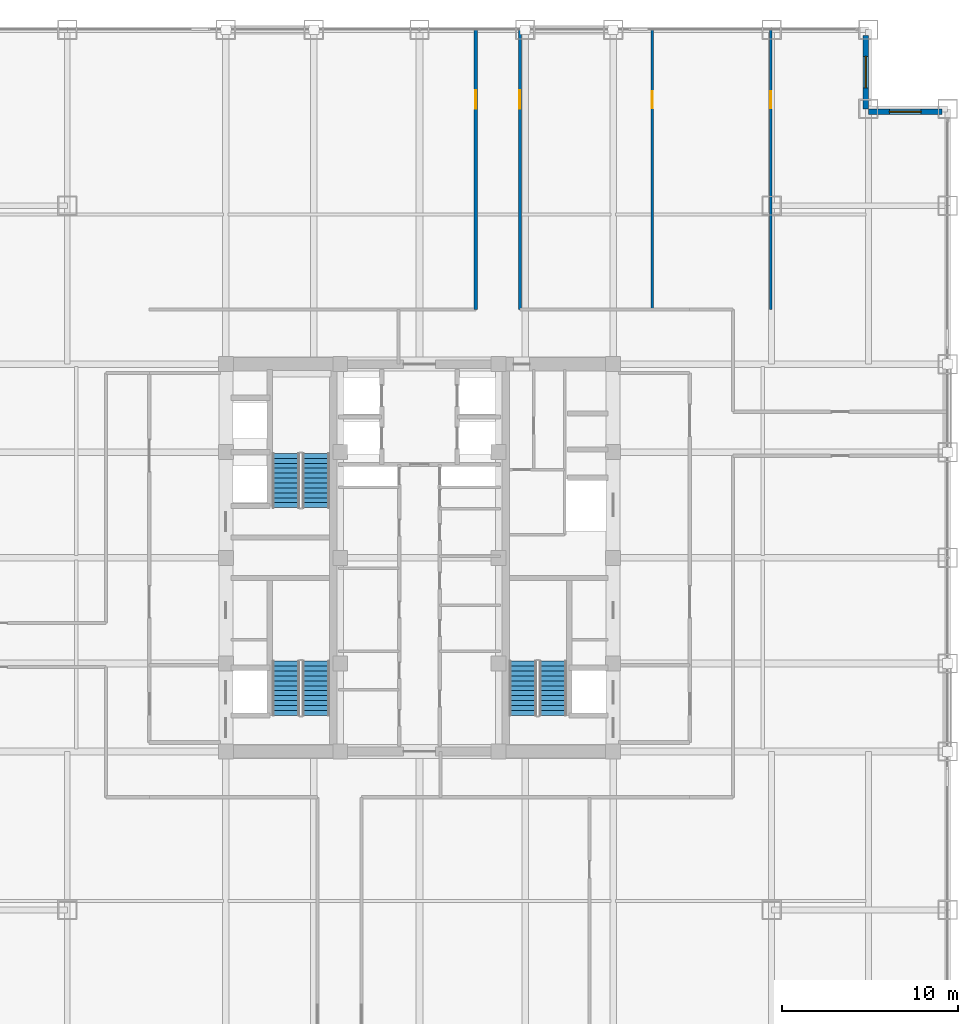
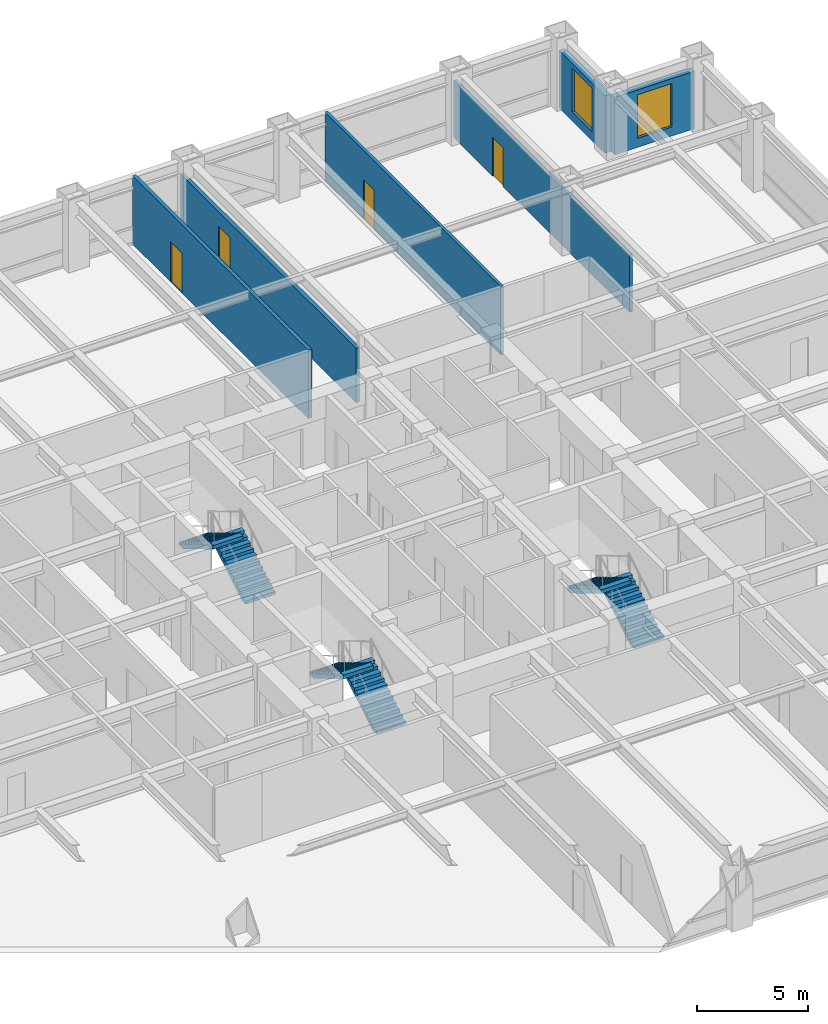
# One storey, part 23 of 24: 6 stair flights, 6 walls, 4 doors, 2 windows, 6 openings, 3 elements without a shape of their own.
"""IFC4 building model written with IfcOpenShell, lengths in metres."""

from ifc_helpers import new_model, si_unit, direction, frame, frame_2d, origin, place, context, subcontext, project, spatial, polyline, rectangle, outline, extrude, source, transform, mapped, material, layer, layer_set, type_object, element, fill, aggregate, save


model = new_model("IFC4")

# Units and contexts
model_context = context("Model", 3, precision=1e-05, world=origin(), true_north=direction((0.0, 1.0)))
body_context = subcontext(model_context, "Body", "Model", "MODEL_VIEW")
ifc_project = project(units=[si_unit("LENGTHUNIT", "METRE"), si_unit("AREAUNIT", "SQUARE_METRE"), si_unit("VOLUMEUNIT", "CUBIC_METRE"), si_unit("PLANEANGLEUNIT", "RADIAN"), si_unit("MASSUNIT", "GRAM", prefix="KILO")], contexts=[model_context])

# Site, building, storey
site_placement = place(None, origin())
site = spatial("IfcSite", under=ifc_project, at=site_placement, CompositionType="ELEMENT")
building_placement = place(site_placement, origin())
building = spatial("IfcBuilding", under=site, at=building_placement, Name="Khorayat Bourse Tower", CompositionType="ELEMENT")
storey_placement = place(building_placement, frame((0.0, 0.0, 167.10009765625)))
storey = spatial("IfcBuildingStorey", under=building, at=storey_placement, Name="L38", CompositionType="ELEMENT", Elevation=167.10009765625)

# Wall, opening, window
ifc_material_1 = material(Name="Precast concrete C45/55", Category="concrete")
ifc_layer_1 = layer(ifc_material_1, 0.320068359375)
ifc_layer_set_1 = layer_set([ifc_layer_1], Name="Precast concrete C45/55")
wall_type_1 = type_object("IfcWallType", Name="WAL-EXT-STONE-320", PredefinedType="STANDARD", material=ifc_layer_set_1)
shared_shape_1 = source(origin(), body_context, "Body", "SweptSolid", [
    extrude(rectangle(XDim=4.179931640625, YDim=0.320068359375, at=frame_2d((2.08984375, 0.0))), origin(), (0.0, 0.0, 1.0), 3.163818359375),
])
wall_1_placement = place(storey_placement, frame((25.5, 25.340087890625, 0.0), z_axis=(0.0, 0.0, 1.0), x_axis=(1.0, 0.0, 0.0)))
wall_1 = element("IfcWall", 1, at=wall_1_placement, inside=storey, type_object=wall_type_1, Name="L38 Re-Entrant Notch Limestone Wall NE-H", PredefinedType="STANDARD", context=body_context, shape_type="MappedRepresentation", body=[
    mapped(shared_shape_1, transform((0.0, 0.0, 0.0), scale=1.0)),
])
shared_shape_2 = source(origin(), body_context, "Body", "SweptSolid", [
    extrude(rectangle(XDim=1.800048828125, YDim=2.39990234375, at=frame_2d((0.89990234375, 1.199951171875))), frame((0.0, 0.169921875, 0.0), z_axis=(0.0, -1.0, 0.0), x_axis=(1.0, 0.0, 0.0)), (0.0, 0.0, 1.0), 0.340087890625),
])
opening_1_placement = place(wall_1_placement, frame((1.18994140625, 0.0, 0.5)))
opening_1 = element("IfcOpeningElement", 2, at=opening_1_placement, cuts=wall_1, Name="Opening WN-04", PredefinedType="OPENING", context=body_context, shape_type="MappedRepresentation", body=[
    mapped(shared_shape_2, transform((0.0, 0.0, 0.0), scale=1.0)),
])
ifc_material_2 = material(Name="Low-E acoustic laminated double glazing", Category="glass")
window_type = type_object("IfcWindowType", Name="WIN-NOTCH-1800x2400", PartitioningType="SINGLE_PANEL", PredefinedType="WINDOW", material=ifc_material_2)
shared_shape_3 = source(origin(), body_context, "Body", "SweptSolid", [
    extrude(rectangle(XDim=1.800048828125, YDim=2.39990234375, at=frame_2d((0.89990234375, 1.199951171875))), frame((0.0, 0.030029296875, 0.0), z_axis=(0.0, -1.0, 0.0), x_axis=(1.0, 0.0, 0.0)), (0.0, 0.0, 1.0), 0.06005859375),
])
window_1_placement = place(opening_1_placement, origin())
window_1 = element("IfcWindow", 3, at=window_1_placement, inside=storey, type_object=window_type, Name="L38 Facade Window 1", OverallHeight=2.39990234375, OverallWidth=1.800048828125, PartitioningType="SINGLE_PANEL", PredefinedType="WINDOW", context=body_context, shape_type="MappedRepresentation", body=[
    mapped(shared_shape_3, transform((0.0, 0.0, 0.0), scale=1.0)),
])
fill(opening_1, window_1)

wall_2_placement = place(storey_placement, frame((25.340087890625, 25.5, 0.0), z_axis=(0.0, 0.0, 1.0), x_axis=(0.0, 1.0, 0.0)))
wall_2 = element("IfcWall", 4, at=wall_2_placement, inside=storey, type_object=wall_type_1, Name="L38 Re-Entrant Notch Limestone Wall NE-V", PredefinedType="STANDARD", context=body_context, shape_type="MappedRepresentation", body=[
    mapped(shared_shape_1, transform((0.0, 0.0, 0.0), scale=1.0)),
])
opening_2_placement = place(wall_2_placement, frame((1.18994140625, 0.0, 0.5)))
opening_2 = element("IfcOpeningElement", 5, at=opening_2_placement, cuts=wall_2, Name="Opening WN-04", PredefinedType="OPENING", context=body_context, shape_type="MappedRepresentation", body=[
    mapped(shared_shape_2, transform((0.0, 0.0, 0.0), scale=1.0)),
])
window_2_placement = place(opening_2_placement, origin())
window_2 = element("IfcWindow", 6, at=window_2_placement, inside=storey, type_object=window_type, Name="L38 Facade Window 1", OverallHeight=2.39990234375, OverallWidth=1.800048828125, PartitioningType="SINGLE_PANEL", PredefinedType="WINDOW", context=body_context, shape_type="MappedRepresentation", body=[
    mapped(shared_shape_3, transform((0.0, 0.0, 0.0), scale=1.0)),
])
fill(opening_2, window_2)

# Wall, opening, door
ifc_material_3 = material(Name="Gypsum plasterboard acoustic stud wall")
ifc_layer_2 = layer(ifc_material_3, 0.179931640625)
ifc_layer_set_2 = layer_set([ifc_layer_2], Name="Gypsum plasterboard acoustic stud wall")
wall_type_2 = type_object("IfcWallType", Name="WAL-PART-CORR-180", PredefinedType="PARTITIONING", material=ifc_layer_set_2)
shared_shape_4 = source(origin(), body_context, "Body", "SweptSolid", [
    extrude(rectangle(XDim=15.89990234375, YDim=0.179931640625, at=frame_2d((7.949951171875, 0.0))), origin(), (0.0, 0.0, 1.0), 3.77978515625),
])
wall_3_placement = place(storey_placement, frame((3.199951171875, 14.10009765625, 0.0), z_axis=(0.0, 0.0, 1.0), x_axis=(0.0, 1.0, 0.0)))
wall_3 = element("IfcWall", 7, at=wall_3_placement, inside=storey, type_object=wall_type_2, Name="L38 Partition WAL-L38-QNW-SPK", PredefinedType="PARTITIONING", context=body_context, shape_type="MappedRepresentation", body=[
    mapped(shared_shape_4, transform((0.0, 0.0, 0.0), scale=1.0)),
])
shared_shape_5 = source(origin(), body_context, "Body", "SweptSolid", [
    extrude(rectangle(XDim=1.050048828125, YDim=2.199951171875, at=frame_2d((0.52490234375, 1.10009765625))), frame((0.0, 0.099853515625, 0.0), z_axis=(0.0, -1.0, 0.0), x_axis=(1.0, 0.0, 0.0)), (0.0, 0.0, 1.0), 0.199951171875),
])
opening_3_placement = place(wall_3_placement, frame((11.39990234375, 0.0, 0.0)))
opening_3 = element("IfcOpeningElement", 8, at=opening_3_placement, cuts=wall_3, Name="Opening DI-04", PredefinedType="OPENING", context=body_context, shape_type="MappedRepresentation", body=[
    mapped(shared_shape_5, transform((0.0, 0.0, 0.0), scale=1.0)),
])
ifc_material_4 = material(Name="Fire-rated oak veneer suite entrance door")
door_type_1 = type_object("IfcDoorType", Name="DR-INT-SUITE-1050", OperationType="NOTDEFINED", PredefinedType="DOOR", material=ifc_material_4)
shared_shape_6 = source(origin(), body_context, "Body", "SweptSolid", [
    extrude(rectangle(XDim=1.050048828125, YDim=2.199951171875, at=frame_2d((0.52490234375, 1.10009765625))), frame((0.0, 0.02490234375, 0.0), z_axis=(0.0, -1.0, 0.0), x_axis=(1.0, 0.0, 0.0)), (0.0, 0.0, 1.0), 0.050048828125),
])
door_1_placement = place(opening_3_placement, origin())
door_1 = element("IfcDoor", 9, at=door_1_placement, inside=storey, type_object=door_type_1, Name="L38 North-West Radial Spoke Entry", OperationType="SINGLE_SWING_LEFT", OverallHeight=2.199951171875, OverallWidth=1.050048828125, PredefinedType="DOOR", context=body_context, shape_type="MappedRepresentation", body=[
    mapped(shared_shape_6, transform((0.0, 0.0, 0.0), scale=1.0)),
])
fill(opening_3, door_1)

ifc_material_5 = material(Name="Gypsum plasterboard twin-frame partition")
ifc_layer_3 = layer(ifc_material_5, 0.14990234375)
ifc_layer_set_3 = layer_set([ifc_layer_3], Name="Gypsum plasterboard twin-frame partition")
wall_type_3 = type_object("IfcWallType", Name="WAL-PART-SUITE-150", PredefinedType="PARTITIONING", material=ifc_layer_set_3)
shared_shape_7 = source(origin(), body_context, "Body", "SweptSolid", [
    extrude(rectangle(XDim=15.89990234375, YDim=0.14990234375, at=frame_2d((7.949951171875, 0.0))), origin(), (0.0, 0.0, 1.0), 3.77978515625),
])
wall_4_placement = place(storey_placement, frame((13.22412109375, 14.10009765625, 0.0), z_axis=(0.0, 0.0, 1.0), x_axis=(0.0, 1.0, 0.0)))
wall_4 = element("IfcWall", 10, at=wall_4_placement, inside=storey, type_object=wall_type_3, Name="L38 Partition WAL-L38-QNEDV-1", PredefinedType="PARTITIONING", context=body_context, shape_type="MappedRepresentation", body=[
    mapped(shared_shape_7, transform((0.0, 0.0, 0.0), scale=1.0)),
])
shared_shape_8 = source(origin(), body_context, "Body", "SweptSolid", [
    extrude(rectangle(XDim=0.949951171875, YDim=2.14990234375, at=frame_2d((0.47509765625, 1.074951171875))), frame((0.0, 0.0849609375, 0.0), z_axis=(0.0, -1.0, 0.0), x_axis=(1.0, 0.0, 0.0)), (0.0, 0.0, 1.0), 0.169921875),
])
opening_4_placement = place(wall_4_placement, frame((11.449951171875, 0.0, 0.0)))
opening_4 = element("IfcOpeningElement", 11, at=opening_4_placement, cuts=wall_4, Name="Opening DI-05", PredefinedType="OPENING", context=body_context, shape_type="MappedRepresentation", body=[
    mapped(shared_shape_8, transform((0.0, 0.0, 0.0), scale=1.0)),
])
ifc_material_6 = material(Name="Acoustic oak veneer office door")
door_type_2 = type_object("IfcDoorType", Name="DR-INT-OFFICE-950", OperationType="NOTDEFINED", PredefinedType="DOOR", material=ifc_material_6)
shared_shape_9 = source(origin(), body_context, "Body", "SweptSolid", [
    extrude(rectangle(XDim=0.949951171875, YDim=2.14990234375, at=frame_2d((0.47509765625, 1.074951171875))), frame((0.0, 0.02490234375, 0.0), z_axis=(0.0, -1.0, 0.0), x_axis=(1.0, 0.0, 0.0)), (0.0, 0.0, 1.0), 0.050048828125),
])
door_2_placement = place(opening_4_placement, origin())
door_2 = element("IfcDoor", 12, at=door_2_placement, inside=storey, type_object=door_type_2, Name="L38 North-East Suite Link 1", OperationType="SINGLE_SWING_RIGHT", OverallHeight=2.14990234375, OverallWidth=0.949951171875, PredefinedType="DOOR", context=body_context, shape_type="MappedRepresentation", body=[
    mapped(shared_shape_9, transform((0.0, 0.0, 0.0), scale=1.0)),
])
fill(opening_4, door_2)

shared_shape_10 = source(origin(), body_context, "Body", "SweptSolid", [
    extrude(rectangle(XDim=15.89990234375, YDim=0.14990234375, at=frame_2d((7.949951171875, 0.0))), origin(), (0.0, 0.0, 1.0), 3.163818359375),
])
wall_5_placement = place(storey_placement, frame((19.9560546875, 14.10009765625, 0.0), z_axis=(0.0, 0.0, 1.0), x_axis=(0.0, 1.0, 0.0)))
wall_5 = element("IfcWall", 13, at=wall_5_placement, inside=storey, type_object=wall_type_3, Name="L38 Partition WAL-L38-QNEDV-2", PredefinedType="PARTITIONING", context=body_context, shape_type="MappedRepresentation", body=[
    mapped(shared_shape_10, transform((0.0, 0.0, 0.0), scale=1.0)),
])
opening_5_placement = place(wall_5_placement, frame((11.449951171875, 0.0, 0.0)))
opening_5 = element("IfcOpeningElement", 14, at=opening_5_placement, cuts=wall_5, Name="Opening DI-05", PredefinedType="OPENING", context=body_context, shape_type="MappedRepresentation", body=[
    mapped(shared_shape_8, transform((0.0, 0.0, 0.0), scale=1.0)),
])
door_3_placement = place(opening_5_placement, origin())
door_3 = element("IfcDoor", 15, at=door_3_placement, inside=storey, type_object=door_type_2, Name="L38 North-East Suite Link 2", OperationType="SINGLE_SWING_LEFT", OverallHeight=2.14990234375, OverallWidth=0.949951171875, PredefinedType="DOOR", context=body_context, shape_type="MappedRepresentation", body=[
    mapped(shared_shape_9, transform((0.0, 0.0, 0.0), scale=1.0)),
])
fill(opening_5, door_3)

shared_shape_11 = source(origin(), body_context, "Body", "SweptSolid", [
    extrude(rectangle(XDim=15.89990234375, YDim=0.179931640625, at=frame_2d((7.949951171875, 0.0))), origin(), (0.0, 0.0, 1.0), 3.0068359375),
])
wall_6_placement = place(storey_placement, frame((5.699951171875, 14.10009765625, 0.0), z_axis=(0.0, 0.0, 1.0), x_axis=(0.0, 1.0, 0.0)))
wall_6 = element("IfcWall", 16, at=wall_6_placement, inside=storey, type_object=wall_type_2, Name="L38 Partition WAL-L38-QNE-SPK", PredefinedType="PARTITIONING", context=body_context, shape_type="MappedRepresentation", body=[
    mapped(shared_shape_11, transform((0.0, 0.0, 0.0), scale=1.0)),
])
opening_6_placement = place(wall_6_placement, frame((11.39990234375, 0.0, 0.0)))
opening_6 = element("IfcOpeningElement", 17, at=opening_6_placement, cuts=wall_6, Name="Opening DI-04", PredefinedType="OPENING", context=body_context, shape_type="MappedRepresentation", body=[
    mapped(shared_shape_5, transform((0.0, 0.0, 0.0), scale=1.0)),
])
door_4_placement = place(opening_6_placement, origin())
door_4 = element("IfcDoor", 18, at=door_4_placement, inside=storey, type_object=door_type_1, Name="L38 North-East Radial Spoke Entry", OperationType="SINGLE_SWING_LEFT", OverallHeight=2.199951171875, OverallWidth=1.050048828125, PredefinedType="DOOR", context=body_context, shape_type="MappedRepresentation", body=[
    mapped(shared_shape_6, transform((0.0, 0.0, 0.0), scale=1.0)),
])
fill(opening_6, door_4)

# Stair, stair flights
ifc_material_7 = material(Name="Concrete C40/50", Category="concrete")
stair_type = type_object("IfcStairType", Name="STR-CORE-1550", PredefinedType="HALF_TURN_STAIR", material=ifc_material_7)
stair_1_placement = place(storey_placement, origin())
stair_1 = element("IfcStair", 19, at=stair_1_placement, inside=storey, type_object=stair_type, Name="L38 Exit Stair ST-1", PredefinedType="HALF_TURN_STAIR")
stair_flight_type = type_object("IfcStairFlightType", Name="FLT-CORE-1550", PredefinedType="STRAIGHT", material=ifc_material_7)
shared_shape_12 = source(origin(), body_context, "Body", "SweptSolid", [
    extrude(outline(polyline([(0.0, 0.0), (0.0, 0.166748046875), (0.280029296875, 0.166748046875), (0.280029296875, 0.333251953125), (0.56005859375, 0.333251953125), (0.56005859375, 0.5), (0.840087890625, 0.5), (0.840087890625, 0.666748046875), (1.1201171875, 0.666748046875), (1.1201171875, 0.833251953125), (1.39990234375, 0.833251953125), (1.39990234375, 1.0), (1.679931640625, 1.0), (1.679931640625, 1.166748046875), (1.9599609375, 1.166748046875), (1.9599609375, 1.333251953125), (2.239990234375, 1.333251953125), (2.239990234375, 1.5), (2.52001953125, 1.5), (2.52001953125, 1.666748046875), (2.800048828125, 1.666748046875), (2.800048828125, 1.833251953125), (3.080078125, 1.833251953125), (3.080078125, 2.0), (3.080078125, 1.6240234375), (0.351806640625, 0.0), (0.0, 0.0)])), frame((0.0, 0.77490234375, 0.0), z_axis=(0.0, -1.0, 0.0), x_axis=(1.0, 0.0, 0.0)), (0.0, 0.0, 1.0), 1.550048828125),
])
stair_flight_1_placement = place(storey_placement, frame((-5.875, -8.949951171875, 0.0), z_axis=(0.0, 0.0, 1.0), x_axis=(0.0, 1.0, 0.0)))
stair_flight_1 = element("IfcStairFlight", 20, at=stair_flight_1_placement, type_object=stair_flight_type, Name="ST-1 flight 1", NumberOfRisers=12, NumberOfTreads=11, PredefinedType="STRAIGHT", RiserHeight=0.166666667, TreadLength=0.28, context=body_context, shape_type="MappedRepresentation", body=[
    mapped(shared_shape_12, transform((0.0, 0.0, 0.0), scale=1.0)),
])
stair_flight_2_placement = place(storey_placement, frame((-7.574951171875, -5.8701171875, 2.0), z_axis=(0.0, 0.0, 1.0), x_axis=(0.0, -1.0, 0.0)))
stair_flight_2 = element("IfcStairFlight", 21, at=stair_flight_2_placement, type_object=stair_flight_type, Name="ST-1 flight 2", NumberOfRisers=12, NumberOfTreads=11, PredefinedType="STRAIGHT", RiserHeight=0.166666667, TreadLength=0.28, context=body_context, shape_type="MappedRepresentation", body=[
    mapped(shared_shape_12, transform((0.0, 0.0, 0.0), scale=1.0)),
])
aggregate(stair_1, [stair_flight_1, stair_flight_2])

stair_2_placement = place(storey_placement, origin())
stair_2 = element("IfcStair", 22, at=stair_2_placement, inside=storey, type_object=stair_type, Name="L38 Exit Stair ST-2", PredefinedType="HALF_TURN_STAIR")
stair_flight_3_placement = place(storey_placement, frame((-5.875, 2.85009765625, 0.0), z_axis=(0.0, 0.0, 1.0), x_axis=(0.0, 1.0, 0.0)))
stair_flight_3 = element("IfcStairFlight", 23, at=stair_flight_3_placement, type_object=stair_flight_type, Name="ST-2 flight 1", NumberOfRisers=12, NumberOfTreads=11, PredefinedType="STRAIGHT", RiserHeight=0.166666667, TreadLength=0.28, context=body_context, shape_type="MappedRepresentation", body=[
    mapped(shared_shape_12, transform((0.0, 0.0, 0.0), scale=1.0)),
])
stair_flight_4_placement = place(storey_placement, frame((-7.574951171875, 5.929931640625, 2.0), z_axis=(0.0, 0.0, 1.0), x_axis=(0.0, -1.0, 0.0)))
stair_flight_4 = element("IfcStairFlight", 24, at=stair_flight_4_placement, type_object=stair_flight_type, Name="ST-2 flight 2", NumberOfRisers=12, NumberOfTreads=11, PredefinedType="STRAIGHT", RiserHeight=0.166666667, TreadLength=0.28, context=body_context, shape_type="MappedRepresentation", body=[
    mapped(shared_shape_12, transform((0.0, 0.0, 0.0), scale=1.0)),
])
aggregate(stair_2, [stair_flight_3, stair_flight_4])

stair_3_placement = place(storey_placement, origin())
stair_3 = element("IfcStair", 25, at=stair_3_placement, inside=storey, type_object=stair_type, Name="L38 Exit Stair ST-3", PredefinedType="HALF_TURN_STAIR")
stair_flight_5_placement = place(storey_placement, frame((7.574951171875, -8.949951171875, 0.0), z_axis=(0.0, 0.0, 1.0), x_axis=(0.0, 1.0, 0.0)))
stair_flight_5 = element("IfcStairFlight", 26, at=stair_flight_5_placement, type_object=stair_flight_type, Name="ST-3 flight 1", NumberOfRisers=12, NumberOfTreads=11, PredefinedType="STRAIGHT", RiserHeight=0.166666667, TreadLength=0.28, context=body_context, shape_type="MappedRepresentation", body=[
    mapped(shared_shape_12, transform((0.0, 0.0, 0.0), scale=1.0)),
])
stair_flight_6_placement = place(storey_placement, frame((5.875, -5.8701171875, 2.0), z_axis=(0.0, 0.0, 1.0), x_axis=(0.0, -1.0, 0.0)))
stair_flight_6 = element("IfcStairFlight", 27, at=stair_flight_6_placement, type_object=stair_flight_type, Name="ST-3 flight 2", NumberOfRisers=12, NumberOfTreads=11, PredefinedType="STRAIGHT", RiserHeight=0.166666667, TreadLength=0.28, context=body_context, shape_type="MappedRepresentation", body=[
    mapped(shared_shape_12, transform((0.0, 0.0, 0.0), scale=1.0)),
])
aggregate(stair_3, [stair_flight_5, stair_flight_6])

save(model, "model.ifc")
